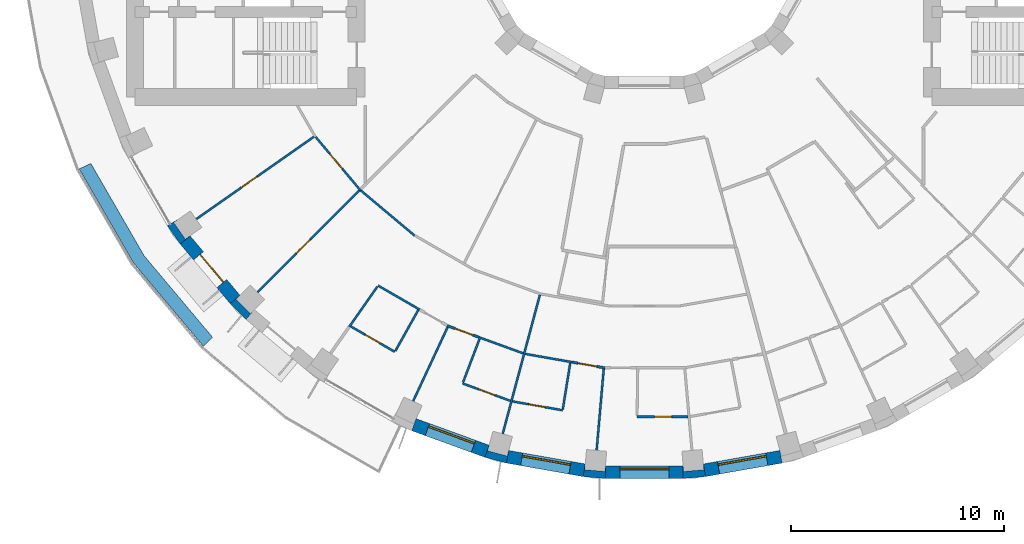
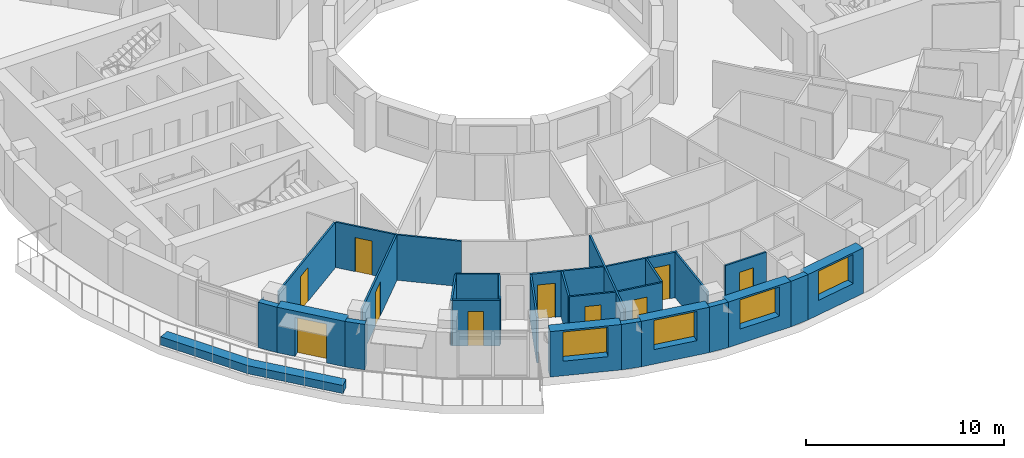
# One storey, part 4 of 16: 31 walls, 10 doors, 4 windows, 14 openings.
"""IFC4 building model written with IfcOpenShell, lengths in metres."""

from ifc_helpers import new_model, si_unit, direction, frame, frame_2d, origin, place, context, subcontext, project, spatial, polyline, rectangle, outline, extrude, material, layer, layer_set, type_object, element, fill, save


model = new_model("IFC4")

# Units and contexts
model_context = context("Model", 3, precision=1e-05, world=origin(), true_north=direction((0.0, 1.0)))
body_context = subcontext(model_context, "Body", "Model", "MODEL_VIEW")
ifc_project = project(units=[si_unit("LENGTHUNIT", "METRE"), si_unit("AREAUNIT", "SQUARE_METRE"), si_unit("VOLUMEUNIT", "CUBIC_METRE"), si_unit("PLANEANGLEUNIT", "RADIAN"), si_unit("MASSUNIT", "GRAM", prefix="KILO")], contexts=[model_context])

# Site, building, storey
site_placement = place(None, origin())
site = spatial("IfcSite", under=ifc_project, at=site_placement, CompositionType="ELEMENT")
building_placement = place(site_placement, origin())
building = spatial("IfcBuilding", under=site, at=building_placement, Name="Saqina Gate Tower", CompositionType="ELEMENT")
storey_placement = place(building_placement, frame((0.0, 0.0, 128.199951171875)))
storey = spatial("IfcBuildingStorey", under=building, at=storey_placement, Name="L36", CompositionType="ELEMENT", Elevation=128.199951171875)

# Walls
ifc_material_1 = material(Name="Brick masonry (buff)", Category="masonry")
wall_type_1 = type_object("IfcWallType", Name="BRICK PIER COPING BUFF", PredefinedType="SOLIDWALL", material=ifc_material_1)
wall_1_placement = place(storey_placement, origin())
element("IfcWall", 1, at=wall_1_placement, inside=storey, type_object=wall_type_1, Name="Pier cap L36 column 22", PredefinedType="SOLIDWALL", context=body_context, shape_type="SweptSolid", body=[
    extrude(outline(polyline([(-21.77685546875, -15.89208984375), (-21.317138671875, -15.50634765625), (-21.53759765625, -15.66064453125), (-22.08251953125, -14.88232421875), (-21.862060546875, -14.728271484375), (-22.3818359375, -15.0283203125), (-21.77685546875, -15.89208984375)])), origin(), (0.0, 0.0, 1.0), 2.800048828125),
])
wall_2_placement = place(storey_placement, origin())
element("IfcWall", 2, at=wall_2_placement, inside=storey, type_object=wall_type_1, Name="Pier cap L36 column 23", PredefinedType="SOLIDWALL", context=body_context, shape_type="SweptSolid", body=[
    extrude(outline(polyline([(-19.43212890625, -18.686279296875), (-18.686279296875, -19.43212890625), (-18.30078125, -18.972412109375), (-18.49072265625, -19.16259765625), (-19.16259765625, -18.49072265625), (-18.972412109375, -18.30078125), (-19.43212890625, -18.686279296875)])), origin(), (0.0, 0.0, 1.0), 2.800048828125),
])
wall_3_placement = place(storey_placement, origin())
element("IfcWall", 3, at=wall_3_placement, inside=storey, type_object=wall_type_1, Name="Pier cap L36 column 26", PredefinedType="SOLIDWALL", context=body_context, shape_type="SweptSolid", body=[
    extrude(outline(polyline([(-7.485595703125, -25.89892578125), (-6.466796875, -26.171875), (-6.36279296875, -25.5810546875), (-6.43212890625, -25.8408203125), (-7.349853515625, -25.5947265625), (-7.2802734375, -25.335205078125), (-7.485595703125, -25.89892578125)])), origin(), (0.0, 0.0, 1.0), 2.800048828125),
])
wall_4_placement = place(storey_placement, origin())
element("IfcWall", 4, at=wall_4_placement, inside=storey, type_object=wall_type_1, Name="Pier cap L36 column 27", PredefinedType="SOLIDWALL", context=body_context, shape_type="SweptSolid", body=[
    extrude(outline(polyline([(-2.87451171875, -26.805419921875), (-1.823974609375, -26.897216796875), (-1.823974609375, -26.29736328125), (-1.847412109375, -26.565185546875), (-2.793701171875, -26.482421875), (-2.770263671875, -26.214599609375), (-2.87451171875, -26.805419921875)])), origin(), (0.0, 0.0, 1.0), 2.800048828125),
])
wall_5_placement = place(storey_placement, origin())
element("IfcWall", 5, at=wall_5_placement, inside=storey, type_object=wall_type_1, Name="Pier cap L36 column 28", PredefinedType="SOLIDWALL", context=body_context, shape_type="SweptSolid", body=[
    extrude(outline(polyline([(2.87451171875, -26.805419921875), (2.770263671875, -26.214599609375), (2.793701171875, -26.482421875), (1.847412109375, -26.565185546875), (1.823974609375, -26.29736328125), (1.823974609375, -26.897216796875), (2.87451171875, -26.805419921875)])), origin(), (0.0, 0.0, 1.0), 2.800048828125),
])

# Wall, opening, door
ifc_material_2 = material(Name="Brick masonry (buff)", Category="masonry")
ifc_layer_1 = layer(ifc_material_2, 0.60009765625)
ifc_layer_set_1 = layer_set([ifc_layer_1], Name="FW-BRICK-BUFF")
wall_type_2 = type_object("IfcWallType", Name="FW-BRICK-BUFF", PredefinedType="SOLIDWALL", material=ifc_layer_set_1)
wall_6_placement = place(storey_placement, frame((-21.547119140625, -15.69921875, 0.0), z_axis=(0.0, 0.0, 1.0), x_axis=(0.642774476932, -0.766055462616, 0.0)))
wall_6 = element("IfcWall", 6, at=wall_6_placement, inside=storey, type_object=wall_type_2, Name="Facade wall L36 facet 22", PredefinedType="SOLIDWALL", context=body_context, shape_type="SweptSolid", body=[
    extrude(rectangle(XDim=3.647705078125, YDim=0.60009765625, at=frame_2d((1.82373046875, 0.0))), origin(), (0.0, 0.0, 1.0), 2.800048828125),
])
opening_1_placement = place(wall_6_placement, frame((0.973876953125, 0.0, 0.0)))
opening_1 = element("IfcOpeningElement", 7, at=opening_1_placement, cuts=wall_6, Name="Opening G10-D80", PredefinedType="OPENING", context=body_context, shape_type="SweptSolid", body=[
    extrude(rectangle(XDim=1.699951171875, YDim=2.39990234375, at=frame_2d((0.85009765625, 1.199951171875))), frame((0.0, 0.31201171875, 0.0), z_axis=(0.0, -1.0, 0.0), x_axis=(1.0, 0.0, 0.0)), (0.0, 0.0, 1.0), 0.6240234375),
])
ifc_material_3 = material(Name="Aluminium glazing", Category="aluminium")
door_type_1 = type_object("IfcDoorType", Name="GD-B", OperationType="DOUBLE_DOOR_SINGLE_SWING", PredefinedType="DOOR", material=ifc_material_3)
door_1_placement = place(opening_1_placement, frame((1.699951171875, 0.0, 0.0), z_axis=(0.0, 0.0, 1.0), x_axis=(-1.0, 0.0, 0.0)))
door_1 = element("IfcDoor", 8, at=door_1_placement, inside=storey, type_object=door_type_1, Name="Terrace door L36 facet 22", OperationType="DOUBLE_DOOR_SINGLE_SWING", OverallHeight=2.39990234375, OverallWidth=1.699951171875, PredefinedType="DOOR", context=body_context, shape_type="SweptSolid", body=[
    extrude(rectangle(XDim=1.699951171875, YDim=2.39990234375, at=frame_2d((0.85009765625, 1.199951171875))), frame((0.0, -0.0751953125, 0.0), z_axis=(0.0, -1.0, 0.0), x_axis=(1.0, 0.0, 0.0)), (0.0, 0.0, 1.0), 0.050048828125),
])
fill(opening_1, door_1)

# Wall, opening, window
wall_7_placement = place(storey_placement, frame((-10.810791015625, -24.369384765625, 0.0), z_axis=(0.0, 0.0, 1.0), x_axis=(0.939703505393, -0.341990236633, 0.0)))
wall_7 = element("IfcWall", 9, at=wall_7_placement, inside=storey, type_object=wall_type_2, Name="Facade wall L36 facet 25", PredefinedType="SOLIDWALL", context=body_context, shape_type="SweptSolid", body=[
    extrude(rectangle(XDim=3.64794921875, YDim=0.60009765625, at=frame_2d((1.823974609375, 0.0))), origin(), (0.0, 0.0, 1.0), 2.800048828125),
])
opening_2_placement = place(wall_7_placement, frame((0.673828125, 0.0, 0.89990234375)))
opening_2 = element("IfcOpeningElement", 10, at=opening_2_placement, cuts=wall_7, Name="Opening G10-W14", PredefinedType="OPENING", context=body_context, shape_type="SweptSolid", body=[
    extrude(rectangle(XDim=2.300048828125, YDim=1.800048828125, at=frame_2d((1.14990234375, 0.89990234375))), frame((0.0, 0.31201171875, 0.0), z_axis=(0.0, -1.0, 0.0), x_axis=(1.0, 0.0, 0.0)), (0.0, 0.0, 1.0), 0.6240234375),
])
ifc_material_4 = material(Name="Aluminium glazing", Category="aluminium")
window_type = type_object("IfcWindowType", Name="WN-B", PartitioningType="SINGLE_PANEL", PredefinedType="WINDOW", material=ifc_material_4)
window_1_placement = place(opening_2_placement, origin())
window_1 = element("IfcWindow", 11, at=window_1_placement, inside=storey, type_object=window_type, Name="Window L36 facet 25", OverallHeight=1.800048828125, OverallWidth=2.300048828125, PartitioningType="SINGLE_PANEL", PredefinedType="WINDOW", context=body_context, shape_type="SweptSolid", body=[
    extrude(rectangle(XDim=2.300048828125, YDim=1.800048828125, at=frame_2d((1.14990234375, 0.89990234375))), frame((0.0, 0.179931640625, 0.0), z_axis=(0.0, -1.0, 0.0), x_axis=(1.0, 0.0, 0.0)), (0.0, 0.0, 1.0), 0.06005859375),
])
fill(opening_2, window_1)

wall_8_placement = place(storey_placement, frame((-6.414794921875, -25.87646484375, 0.0), z_axis=(0.0, 0.0, 1.0), x_axis=(0.984803764455, -0.173670796382, 0.0)))
wall_8 = element("IfcWall", 12, at=wall_8_placement, inside=storey, type_object=wall_type_2, Name="Facade wall L36 facet 26", PredefinedType="SOLIDWALL", context=body_context, shape_type="SweptSolid", body=[
    extrude(rectangle(XDim=3.64794921875, YDim=0.60009765625, at=frame_2d((1.823974609375, 0.0))), origin(), (0.0, 0.0, 1.0), 2.800048828125),
])
opening_3_placement = place(wall_8_placement, frame((0.673828125, 0.0, 0.89990234375)))
opening_3 = element("IfcOpeningElement", 13, at=opening_3_placement, cuts=wall_8, Name="Opening G10-W15", PredefinedType="OPENING", context=body_context, shape_type="SweptSolid", body=[
    extrude(rectangle(XDim=2.300048828125, YDim=1.800048828125, at=frame_2d((1.14990234375, 0.89990234375))), frame((0.0, 0.31201171875, 0.0), z_axis=(0.0, -1.0, 0.0), x_axis=(1.0, 0.0, 0.0)), (0.0, 0.0, 1.0), 0.6240234375),
])
window_2_placement = place(opening_3_placement, origin())
window_2 = element("IfcWindow", 14, at=window_2_placement, inside=storey, type_object=window_type, Name="Window L36 facet 26", OverallHeight=1.800048828125, OverallWidth=2.300048828125, PartitioningType="SINGLE_PANEL", PredefinedType="WINDOW", context=body_context, shape_type="SweptSolid", body=[
    extrude(rectangle(XDim=2.300048828125, YDim=1.800048828125, at=frame_2d((1.14990234375, 0.89990234375))), frame((0.0, 0.179931640625, 0.0), z_axis=(0.0, -1.0, 0.0), x_axis=(1.0, 0.0, 0.0)), (0.0, 0.0, 1.0), 0.06005859375),
])
fill(opening_3, window_2)

wall_9_placement = place(storey_placement, frame((-1.823974609375, -26.59716796875, 0.0), z_axis=(0.0, 0.0, 1.0), x_axis=(1.0, 0.0, 0.0)))
wall_9 = element("IfcWall", 15, at=wall_9_placement, inside=storey, type_object=wall_type_2, Name="Facade wall L36 facet 27", PredefinedType="SOLIDWALL", context=body_context, shape_type="SweptSolid", body=[
    extrude(rectangle(XDim=3.64794921875, YDim=0.60009765625, at=frame_2d((1.823974609375, 0.0))), origin(), (0.0, 0.0, 1.0), 2.800048828125),
])
opening_4_placement = place(wall_9_placement, frame((0.673828125, 0.0, 0.89990234375)))
opening_4 = element("IfcOpeningElement", 16, at=opening_4_placement, cuts=wall_9, Name="Opening G10-W16", PredefinedType="OPENING", context=body_context, shape_type="SweptSolid", body=[
    extrude(rectangle(XDim=2.300048828125, YDim=1.800048828125, at=frame_2d((1.14990234375, 0.89990234375))), frame((0.0, 0.31201171875, 0.0), z_axis=(0.0, -1.0, 0.0), x_axis=(1.0, 0.0, 0.0)), (0.0, 0.0, 1.0), 0.6240234375),
])
window_3_placement = place(opening_4_placement, origin())
window_3 = element("IfcWindow", 17, at=window_3_placement, inside=storey, type_object=window_type, Name="Window L36 facet 27", OverallHeight=1.800048828125, OverallWidth=2.300048828125, PartitioningType="SINGLE_PANEL", PredefinedType="WINDOW", context=body_context, shape_type="SweptSolid", body=[
    extrude(rectangle(XDim=2.300048828125, YDim=1.800048828125, at=frame_2d((1.14990234375, 0.89990234375))), frame((0.0, 0.179931640625, 0.0), z_axis=(0.0, -1.0, 0.0), x_axis=(1.0, 0.0, 0.0)), (0.0, 0.0, 1.0), 0.06005859375),
])
fill(opening_4, window_3)

wall_10_placement = place(storey_placement, frame((2.822265625, -26.510009765625, 0.0), z_axis=(0.0, 0.0, 1.0), x_axis=(0.984803764455, 0.173670796382, 0.0)))
wall_10 = element("IfcWall", 18, at=wall_10_placement, inside=storey, type_object=wall_type_2, Name="Facade wall L36 facet 28", PredefinedType="SOLIDWALL", context=body_context, shape_type="SweptSolid", body=[
    extrude(rectangle(XDim=3.64794921875, YDim=0.60009765625, at=frame_2d((1.823974609375, 0.0))), origin(), (0.0, 0.0, 1.0), 2.800048828125),
])
opening_5_placement = place(wall_10_placement, frame((0.673828125, 0.0, 0.89990234375)))
opening_5 = element("IfcOpeningElement", 19, at=opening_5_placement, cuts=wall_10, Name="Opening G10-W17", PredefinedType="OPENING", context=body_context, shape_type="SweptSolid", body=[
    extrude(rectangle(XDim=2.300048828125, YDim=1.800048828125, at=frame_2d((1.14990234375, 0.89990234375))), frame((0.0, 0.31201171875, 0.0), z_axis=(0.0, -1.0, 0.0), x_axis=(1.0, 0.0, 0.0)), (0.0, 0.0, 1.0), 0.6240234375),
])
window_4_placement = place(opening_5_placement, origin())
window_4 = element("IfcWindow", 20, at=window_4_placement, inside=storey, type_object=window_type, Name="Window L36 facet 28", OverallHeight=1.800048828125, OverallWidth=2.300048828125, PartitioningType="SINGLE_PANEL", PredefinedType="WINDOW", context=body_context, shape_type="SweptSolid", body=[
    extrude(rectangle(XDim=2.300048828125, YDim=1.800048828125, at=frame_2d((1.14990234375, 0.89990234375))), frame((0.0, 0.179931640625, 0.0), z_axis=(0.0, -1.0, 0.0), x_axis=(1.0, 0.0, 0.0)), (0.0, 0.0, 1.0), 0.06005859375),
])
fill(opening_5, window_4)

# Wall, opening, door
ifc_material_5 = material(Name="Gypsum board on steel studs, 100 mm", Category="steel")
ifc_layer_2 = layer(ifc_material_5, 0.10009765625)
ifc_layer_set_2 = layer_set([ifc_layer_2], Name="PARTITION 100")
wall_type_3 = type_object("IfcWallType", Name="PARTITION 100", PredefinedType="PARTITIONING", material=ifc_layer_set_2)
wall_11_placement = place(storey_placement, frame((-15.42578125, -10.8623046875, 0.0), z_axis=(0.0, 0.0, 1.0), x_axis=(0.642706409745, -0.766112570627, 0.0)))
wall_11 = element("IfcWall", 21, at=wall_11_placement, inside=storey, type_object=wall_type_3, Name="PARTITION PW3-21", PredefinedType="PARTITIONING", context=body_context, shape_type="SweptSolid", body=[
    extrude(rectangle(XDim=3.2900390625, YDim=0.10009765625, at=frame_2d((1.64501953125, 0.0))), origin(), (0.0, 0.0, 1.0), 2.800048828125),
])
opening_6_placement = place(wall_11_placement, frame((1.044677734375, 0.0, 0.0)))
opening_6 = element("IfcOpeningElement", 22, at=opening_6_placement, cuts=wall_11, Name="Opening G10-D30", PredefinedType="OPENING", context=body_context, shape_type="SweptSolid", body=[
    extrude(rectangle(XDim=0.89990234375, YDim=2.10009765625, at=frame_2d((0.449951171875, 1.050048828125))), frame((0.0, 0.06201171875, 0.0), z_axis=(0.0, -1.0, 0.0), x_axis=(1.0, 0.0, 0.0)), (0.0, 0.0, 1.0), 0.1240234375),
])
ifc_material_6 = material(Name="Timber door leaf, 900 mm", Category="wood")
door_type_2 = type_object("IfcDoorType", Name="DOOR 900 TIMBER", OperationType="SINGLE_SWING_LEFT", PredefinedType="DOOR", material=ifc_material_6)
door_2_placement = place(opening_6_placement, origin())
door_2 = element("IfcDoor", 23, at=door_2_placement, inside=storey, type_object=door_type_2, Name="DOOR G10-D30", OperationType="SINGLE_SWING_RIGHT", OverallHeight=2.10009765625, OverallWidth=0.89990234375, PredefinedType="DOOR", context=body_context, shape_type="SweptSolid", body=[
    extrude(rectangle(XDim=0.89990234375, YDim=2.10009765625, at=frame_2d((0.449951171875, 1.050048828125))), frame((0.0, 0.02490234375, 0.0), z_axis=(0.0, -1.0, 0.0), x_axis=(1.0, 0.0, 0.0)), (0.0, 0.0, 1.0), 0.050048828125),
])
fill(opening_6, door_2)

# Wall
wall_12_placement = place(storey_placement, frame((-13.3056640625, -13.376220703125, 0.0), z_axis=(0.0, 0.0, 1.0), x_axis=(0.766112570627, -0.642706409745, 0.0)))
element("IfcWall", 24, at=wall_12_placement, inside=storey, type_object=wall_type_3, Name="PARTITION PW3-28", PredefinedType="PARTITIONING", context=body_context, shape_type="SweptSolid", body=[
    extrude(rectangle(XDim=3.2900390625, YDim=0.10009765625, at=frame_2d((1.64501953125, 0.0))), origin(), (0.0, 0.0, 1.0), 2.800048828125),
])

# Wall, opening, door
wall_13_placement = place(storey_placement, frame((-13.771728515625, -19.758056640625, 0.0), z_axis=(0.0, 0.0, 1.0), x_axis=(0.865904457458, -0.500209426695, 0.0)))
wall_13 = element("IfcWall", 25, at=wall_13_placement, inside=storey, type_object=wall_type_3, Name="PARTITION PW3-32", PredefinedType="PARTITIONING", context=body_context, shape_type="SweptSolid", body=[
    extrude(rectangle(XDim=2.38671875, YDim=0.10009765625, at=frame_2d((1.193359375, 0.0))), origin(), (0.0, 0.0, 1.0), 2.800048828125),
])
opening_7_placement = place(wall_13_placement, frame((0.767333984375, 0.0, 0.0)))
opening_7 = element("IfcOpeningElement", 26, at=opening_7_placement, cuts=wall_13, Name="Opening G10-D33", PredefinedType="OPENING", context=body_context, shape_type="SweptSolid", body=[
    extrude(rectangle(XDim=0.800048828125, YDim=2.10009765625, at=frame_2d((0.39990234375, 1.050048828125))), frame((0.0, 0.06201171875, 0.0), z_axis=(0.0, -1.0, 0.0), x_axis=(1.0, 0.0, 0.0)), (0.0, 0.0, 1.0), 0.1240234375),
])
ifc_material_7 = material(Name="Timber door leaf, 800 mm", Category="wood")
door_type_3 = type_object("IfcDoorType", Name="DOOR 800 TIMBER", OperationType="SINGLE_SWING_LEFT", PredefinedType="DOOR", material=ifc_material_7)
door_3_placement = place(opening_7_placement, frame((0.800048828125, 0.0, 0.0), z_axis=(0.0, 0.0, 1.0), x_axis=(-1.0, 0.0, 0.0)))
door_3 = element("IfcDoor", 27, at=door_3_placement, inside=storey, type_object=door_type_3, Name="DOOR G10-D33", OperationType="SINGLE_SWING_RIGHT", OverallHeight=2.10009765625, OverallWidth=0.800048828125, PredefinedType="DOOR", context=body_context, shape_type="SweptSolid", body=[
    extrude(rectangle(XDim=0.800048828125, YDim=2.10009765625, at=frame_2d((0.39990234375, 1.050048828125))), frame((0.0, 0.02490234375, 0.0), z_axis=(0.0, -1.0, 0.0), x_axis=(1.0, 0.0, 0.0)), (0.0, 0.0, 1.0), 0.050048828125),
])
fill(opening_7, door_3)

# Wall
wall_14_placement = place(storey_placement, frame((-12.489501953125, -17.843017578125, 0.0), z_axis=(0.0, 0.0, 1.0), x_axis=(0.865965261283, -0.500104155402, 0.0)))
element("IfcWall", 28, at=wall_14_placement, inside=storey, type_object=wall_type_3, Name="PARTITION PW3-33", PredefinedType="PARTITIONING", context=body_context, shape_type="SweptSolid", body=[
    extrude(rectangle(XDim=2.25146484375, YDim=0.10009765625, at=frame_2d((1.125732421875, 0.0))), origin(), (0.0, 0.0, 1.0), 2.800048828125),
])

# Wall, opening, door
wall_15_placement = place(storey_placement, frame((-8.52587890625, -22.43408203125, 0.0), z_axis=(0.0, 0.0, 1.0), x_axis=(0.939667988297, -0.342087812952, 0.0)))
wall_15 = element("IfcWall", 29, at=wall_15_placement, inside=storey, type_object=wall_type_3, Name="PARTITION PW3-40", PredefinedType="PARTITIONING", context=body_context, shape_type="SweptSolid", body=[
    extrude(rectangle(XDim=2.387939453125, YDim=0.10009765625, at=frame_2d((1.19384765625, 0.0))), origin(), (0.0, 0.0, 1.0), 2.800048828125),
])
opening_8_placement = place(wall_15_placement, frame((0.819091796875, 0.0, 0.0)))
opening_8 = element("IfcOpeningElement", 30, at=opening_8_placement, cuts=wall_15, Name="Opening G10-D37", PredefinedType="OPENING", context=body_context, shape_type="SweptSolid", body=[
    extrude(rectangle(XDim=0.800048828125, YDim=2.10009765625, at=frame_2d((0.39990234375, 1.050048828125))), frame((0.0, 0.06201171875, 0.0), z_axis=(0.0, -1.0, 0.0), x_axis=(1.0, 0.0, 0.0)), (0.0, 0.0, 1.0), 0.1240234375),
])
door_4_placement = place(opening_8_placement, frame((0.800048828125, 0.0, 0.0), z_axis=(0.0, 0.0, 1.0), x_axis=(-1.0, 0.0, 0.0)))
door_4 = element("IfcDoor", 31, at=door_4_placement, inside=storey, type_object=door_type_3, Name="DOOR G10-D37", OperationType="SINGLE_SWING_LEFT", OverallHeight=2.10009765625, OverallWidth=0.800048828125, PredefinedType="DOOR", context=body_context, shape_type="SweptSolid", body=[
    extrude(rectangle(XDim=0.800048828125, YDim=2.10009765625, at=frame_2d((0.39990234375, 1.050048828125))), frame((0.0, 0.02490234375, 0.0), z_axis=(0.0, -1.0, 0.0), x_axis=(1.0, 0.0, 0.0)), (0.0, 0.0, 1.0), 0.050048828125),
])
fill(opening_8, door_4)

# Wall
wall_16_placement = place(storey_placement, frame((-7.756103515625, -20.26708984375, 0.0), z_axis=(0.0, 0.0, 1.0), x_axis=(0.939728749343, -0.341920864613, 0.0)))
element("IfcWall", 32, at=wall_16_placement, inside=storey, type_object=wall_type_3, Name="PARTITION PW3-41", PredefinedType="PARTITIONING", context=body_context, shape_type="SweptSolid", body=[
    extrude(rectangle(XDim=2.204833984375, YDim=0.10009765625, at=frame_2d((1.1025390625, 0.0))), origin(), (0.0, 0.0, 1.0), 2.800048828125),
])

# Wall, opening, door
wall_17_placement = place(storey_placement, frame((-6.185791015625, -23.276611328125, 0.0), z_axis=(0.0, 0.0, 1.0), x_axis=(0.98477738582, -0.173820310603, 0.0)))
wall_17 = element("IfcWall", 33, at=wall_17_placement, inside=storey, type_object=wall_type_3, Name="PARTITION PW3-45", PredefinedType="PARTITIONING", context=body_context, shape_type="SweptSolid", body=[
    extrude(rectangle(XDim=2.38916015625, YDim=0.10009765625, at=frame_2d((1.194580078125, 0.0))), origin(), (0.0, 0.0, 1.0), 2.800048828125),
])
opening_9_placement = place(wall_17_placement, frame((0.76953125, 0.0, 0.0)))
opening_9 = element("IfcOpeningElement", 34, at=opening_9_placement, cuts=wall_17, Name="Opening G10-D38", PredefinedType="OPENING", context=body_context, shape_type="SweptSolid", body=[
    extrude(rectangle(XDim=0.800048828125, YDim=2.10009765625, at=frame_2d((0.39990234375, 1.050048828125))), frame((0.0, 0.06201171875, 0.0), z_axis=(0.0, -1.0, 0.0), x_axis=(1.0, 0.0, 0.0)), (0.0, 0.0, 1.0), 0.1240234375),
])
door_5_placement = place(opening_9_placement, frame((0.800048828125, 0.0, 0.0), z_axis=(0.0, 0.0, 1.0), x_axis=(-1.0, 0.0, 0.0)))
door_5 = element("IfcDoor", 35, at=door_5_placement, inside=storey, type_object=door_type_3, Name="DOOR G10-D38", OperationType="SINGLE_SWING_RIGHT", OverallHeight=2.10009765625, OverallWidth=0.800048828125, PredefinedType="DOOR", context=body_context, shape_type="SweptSolid", body=[
    extrude(rectangle(XDim=0.800048828125, YDim=2.10009765625, at=frame_2d((0.39990234375, 1.050048828125))), frame((0.0, 0.02490234375, 0.0), z_axis=(0.0, -1.0, 0.0), x_axis=(1.0, 0.0, 0.0)), (0.0, 0.0, 1.0), 0.050048828125),
])
fill(opening_9, door_5)

# Wall
wall_18_placement = place(storey_placement, frame((-5.587646484375, -21.046630859375, 0.0), z_axis=(0.0, 0.0, 1.0), x_axis=(0.984792363165, -0.173735435225, 0.0)))
element("IfcWall", 36, at=wall_18_placement, inside=storey, type_object=wall_type_3, Name="PARTITION PW3-46", PredefinedType="PARTITIONING", context=body_context, shape_type="SweptSolid", body=[
    extrude(rectangle(XDim=2.23291015625, YDim=0.10009765625, at=frame_2d((1.116455078125, 0.0))), origin(), (0.0, 0.0, 1.0), 2.800048828125),
])

# Wall, opening, door
wall_19_placement = place(storey_placement, frame((-0.339111328125, -23.9970703125, 0.0), z_axis=(0.0, 0.0, 1.0), x_axis=(1.0, 0.0, 0.0)))
wall_19 = element("IfcWall", 37, at=wall_19_placement, inside=storey, type_object=wall_type_3, Name="PARTITION PW3-51", PredefinedType="PARTITIONING", context=body_context, shape_type="SweptSolid", body=[
    extrude(rectangle(XDim=2.38818359375, YDim=0.10009765625, at=frame_2d((1.194091796875, 0.0))), origin(), (0.0, 0.0, 1.0), 2.800048828125),
])
opening_10_placement = place(wall_19_placement, frame((0.819091796875, 0.0, 0.0)))
opening_10 = element("IfcOpeningElement", 38, at=opening_10_placement, cuts=wall_19, Name="Opening G10-D44", PredefinedType="OPENING", context=body_context, shape_type="SweptSolid", body=[
    extrude(rectangle(XDim=0.800048828125, YDim=2.10009765625, at=frame_2d((0.39990234375, 1.050048828125))), frame((0.0, 0.06201171875, 0.0), z_axis=(0.0, -1.0, 0.0), x_axis=(1.0, 0.0, 0.0)), (0.0, 0.0, 1.0), 0.1240234375),
])
door_6_placement = place(opening_10_placement, frame((0.800048828125, 0.0, 0.0), z_axis=(0.0, 0.0, 1.0), x_axis=(-1.0, 0.0, 0.0)))
door_6 = element("IfcDoor", 39, at=door_6_placement, inside=storey, type_object=door_type_3, Name="DOOR G10-D44", OperationType="SINGLE_SWING_LEFT", OverallHeight=2.10009765625, OverallWidth=0.800048828125, PredefinedType="DOOR", context=body_context, shape_type="SweptSolid", body=[
    extrude(rectangle(XDim=0.800048828125, YDim=2.10009765625, at=frame_2d((0.39990234375, 1.050048828125))), frame((0.0, 0.02490234375, 0.0), z_axis=(0.0, -1.0, 0.0), x_axis=(1.0, 0.0, 0.0)), (0.0, 0.0, 1.0), 0.050048828125),
])
fill(opening_10, door_6)

wall_20_placement = place(storey_placement, frame((-21.02392578125, -14.720458984375, 0.0), z_axis=(0.0, 0.0, 1.0), x_axis=(0.819214913262, 0.573486639678, 0.0)))
wall_20 = element("IfcWall", 40, at=wall_20_placement, inside=storey, type_object=wall_type_3, Name="PARTITION PW3-76", PredefinedType="PARTITIONING", context=body_context, shape_type="SweptSolid", body=[
    extrude(rectangle(XDim=6.744140625, YDim=0.10009765625, at=frame_2d((3.3720703125, 0.0))), origin(), (0.0, 0.0, 1.0), 2.800048828125),
])
opening_11_placement = place(wall_20_placement, frame((2.57958984375, 0.0, 0.0)))
opening_11 = element("IfcOpeningElement", 41, at=opening_11_placement, cuts=wall_20, Name="Opening G10-D29", PredefinedType="OPENING", context=body_context, shape_type="SweptSolid", body=[
    extrude(rectangle(XDim=0.89990234375, YDim=2.10009765625, at=frame_2d((0.449951171875, 1.050048828125))), frame((0.0, 0.06201171875, 0.0), z_axis=(0.0, -1.0, 0.0), x_axis=(1.0, 0.0, 0.0)), (0.0, 0.0, 1.0), 0.1240234375),
])
door_7_placement = place(opening_11_placement, origin())
door_7 = element("IfcDoor", 42, at=door_7_placement, inside=storey, type_object=door_type_2, Name="DOOR G10-D29", OperationType="SINGLE_SWING_LEFT", OverallHeight=2.10009765625, OverallWidth=0.89990234375, PredefinedType="DOOR", context=body_context, shape_type="SweptSolid", body=[
    extrude(rectangle(XDim=0.89990234375, YDim=2.10009765625, at=frame_2d((0.449951171875, 1.050048828125))), frame((0.0, 0.02490234375, 0.0), z_axis=(0.0, -1.0, 0.0), x_axis=(1.0, 0.0, 0.0)), (0.0, 0.0, 1.0), 0.050048828125),
])
fill(opening_11, door_7)

wall_21_placement = place(storey_placement, frame((-18.14794921875, -18.14794921875, 0.0), z_axis=(0.0, 0.0, 1.0), x_axis=(0.707106781187, 0.707106781187, 0.0)))
wall_21 = element("IfcWall", 43, at=wall_21_placement, inside=storey, type_object=wall_type_3, Name="PARTITION PW3-82", PredefinedType="PARTITIONING", context=body_context, shape_type="SweptSolid", body=[
    extrude(rectangle(XDim=6.74365234375, YDim=0.10009765625, at=frame_2d((3.371826171875, 0.0))), origin(), (0.0, 0.0, 1.0), 2.800048828125),
])
opening_12_placement = place(wall_21_placement, frame((2.579833984375, 0.0, 0.0)))
opening_12 = element("IfcOpeningElement", 44, at=opening_12_placement, cuts=wall_21, Name="Opening G10-D32", PredefinedType="OPENING", context=body_context, shape_type="SweptSolid", body=[
    extrude(rectangle(XDim=0.89990234375, YDim=2.10009765625, at=frame_2d((0.449951171875, 1.050048828125))), frame((0.0, 0.06201171875, 0.0), z_axis=(0.0, -1.0, 0.0), x_axis=(1.0, 0.0, 0.0)), (0.0, 0.0, 1.0), 0.1240234375),
])
door_8_placement = place(opening_12_placement, frame((0.89990234375, 0.0, 0.0), z_axis=(0.0, 0.0, 1.0), x_axis=(-1.0, 0.0, 0.0)))
door_8 = element("IfcDoor", 45, at=door_8_placement, inside=storey, type_object=door_type_2, Name="DOOR G10-D32", OperationType="SINGLE_SWING_RIGHT", OverallHeight=2.10009765625, OverallWidth=0.89990234375, PredefinedType="DOOR", context=body_context, shape_type="SweptSolid", body=[
    extrude(rectangle(XDim=0.89990234375, YDim=2.10009765625, at=frame_2d((0.449951171875, 1.050048828125))), frame((0.0, 0.02490234375, 0.0), z_axis=(0.0, -1.0, 0.0), x_axis=(1.0, 0.0, 0.0)), (0.0, 0.0, 1.0), 0.050048828125),
])
fill(opening_12, door_8)

# Walls
wall_22_placement = place(storey_placement, frame((-13.845458984375, -19.772705078125, 0.0), z_axis=(0.0, 0.0, 1.0), x_axis=(0.573426847585, 0.819256767118, 0.0)))
element("IfcWall", 46, at=wall_22_placement, inside=storey, type_object=wall_type_3, Name="PARTITION PW3-90", PredefinedType="PARTITIONING", context=body_context, shape_type="SweptSolid", body=[
    extrude(rectangle(XDim=2.30810546875, YDim=0.10009765625, at=frame_2d((1.154052734375, 0.0))), origin(), (0.0, 0.0, 1.0), 2.800048828125),
])
wall_23_placement = place(storey_placement, frame((-11.6806640625, -20.908447265625, 0.0), z_axis=(0.0, 0.0, 1.0), x_axis=(0.487751726738, 0.872982389894, 0.0)))
element("IfcWall", 47, at=wall_23_placement, inside=storey, type_object=wall_type_3, Name="PARTITION PW3-94", PredefinedType="PARTITIONING", context=body_context, shape_type="SweptSolid", body=[
    extrude(rectangle(XDim=2.200439453125, YDim=0.10009765625, at=frame_2d((1.10009765625, 0.0))), origin(), (0.0, 0.0, 1.0), 2.800048828125),
])
wall_24_placement = place(storey_placement, frame((-10.846435546875, -23.26025390625, 0.0), z_axis=(0.0, 0.0, 1.0), x_axis=(0.422591670658, 0.906320186187, 0.0)))
element("IfcWall", 48, at=wall_24_placement, inside=storey, type_object=wall_type_3, Name="PARTITION PW3-97", PredefinedType="PARTITIONING", context=body_context, shape_type="SweptSolid", body=[
    extrude(rectangle(XDim=3.821533203125, YDim=0.10009765625, at=frame_2d((1.91064453125, 0.0))), origin(), (0.0, 0.0, 1.0), 2.800048828125),
])
wall_25_placement = place(storey_placement, frame((-8.50830078125, -22.38720703125, 0.0), z_axis=(0.0, 0.0, 1.0), x_axis=(0.355303594793, 0.934750959094, 0.0)))
element("IfcWall", 49, at=wall_25_placement, inside=storey, type_object=wall_type_3, Name="PARTITION PW3-99", PredefinedType="PARTITIONING", context=body_context, shape_type="SweptSolid", body=[
    extrude(rectangle(XDim=2.187255859375, YDim=0.10009765625, at=frame_2d((1.09375, 0.0))), origin(), (0.0, 0.0, 1.0), 2.800048828125),
])
wall_26_placement = place(storey_placement, frame((-6.642578125, -24.79052734375, 0.0), z_axis=(0.0, 0.0, 1.0), x_axis=(0.258550301946, 0.965997795734, 0.0)))
element("IfcWall", 50, at=wall_26_placement, inside=storey, type_object=wall_type_3, Name="PARTITION PW3-101", PredefinedType="PARTITIONING", context=body_context, shape_type="SweptSolid", body=[
    extrude(rectangle(XDim=6.743896484375, YDim=0.10009765625, at=frame_2d((3.3720703125, 0.0))), origin(), (0.0, 0.0, 1.0), 2.800048828125),
])
wall_27_placement = place(storey_placement, frame((-3.824951171875, -23.642578125, 0.0), z_axis=(0.0, 0.0, 1.0), x_axis=(0.159556862709, 0.987188739585, 0.0)))
element("IfcWall", 51, at=wall_27_placement, inside=storey, type_object=wall_type_3, Name="PARTITION PW3-104", PredefinedType="PARTITIONING", context=body_context, shape_type="SweptSolid", body=[
    extrude(rectangle(XDim=2.2001953125, YDim=0.10009765625, at=frame_2d((1.10009765625, 0.0))), origin(), (0.0, 0.0, 1.0), 2.800048828125),
])
wall_28_placement = place(storey_placement, frame((-2.237060546875, -25.5673828125, 0.0), z_axis=(0.0, 0.0, 1.0), x_axis=(0.087368181188, 0.996176089311, 0.0)))
element("IfcWall", 52, at=wall_28_placement, inside=storey, type_object=wall_type_3, Name="PARTITION PW3-107", PredefinedType="PARTITIONING", context=body_context, shape_type="SweptSolid", body=[
    extrude(rectangle(XDim=3.82275390625, YDim=0.10009765625, at=frame_2d((1.911376953125, 0.0))), origin(), (0.0, 0.0, 1.0), 2.800048828125),
])

# Wall, opening, door
ifc_material_8 = material(Name="Gypsum board on steel studs, 125 mm, fire rated", Category="steel")
ifc_layer_3 = layer(ifc_material_8, 0.125)
ifc_layer_set_3 = layer_set([ifc_layer_3], Name="PARTITION EI 30 125")
wall_type_4 = type_object("IfcWallType", Name="PARTITION EI 30 125", PredefinedType="PARTITIONING", material=ifc_layer_set_3)
wall_29_placement = place(storey_placement, frame((-9.252685546875, -19.72265625, 0.0), z_axis=(0.0, 0.0, 1.0), x_axis=(0.939797899648, -0.341730753396, 0.0)))
wall_29 = element("IfcWall", 53, at=wall_29_placement, inside=storey, type_object=wall_type_4, Name="PARTITION PW1-20", PredefinedType="PARTITIONING", context=body_context, shape_type="SweptSolid", body=[
    extrude(rectangle(XDim=1.592529296875, YDim=0.125, at=frame_2d((0.79638671875, 0.0))), origin(), (0.0, 0.0, 1.0), 2.800048828125),
])
opening_13_placement = place(wall_29_placement, frame((0.396728515625, 0.0, 0.0)))
opening_13 = element("IfcOpeningElement", 54, at=opening_13_placement, cuts=wall_29, Name="Opening G10-D36", PredefinedType="OPENING", context=body_context, shape_type="SweptSolid", body=[
    extrude(rectangle(XDim=0.89990234375, YDim=2.10009765625, at=frame_2d((0.449951171875, 1.050048828125))), frame((0.0, 0.074462890625, 0.0), z_axis=(0.0, -1.0, 0.0), x_axis=(1.0, 0.0, 0.0)), (0.0, 0.0, 1.0), 0.14892578125),
])
ifc_material_9 = material(Name="Fire door leaf EI 30, 900 mm")
door_type_4 = type_object("IfcDoorType", Name="DOOR 900 EI 30", OperationType="SINGLE_SWING_LEFT", PredefinedType="DOOR", material=ifc_material_9)
door_9_placement = place(opening_13_placement, origin())
door_9 = element("IfcDoor", 55, at=door_9_placement, inside=storey, type_object=door_type_4, Name="DOOR G10-D36", OperationType="SINGLE_SWING_LEFT", OverallHeight=2.10009765625, OverallWidth=0.89990234375, PredefinedType="DOOR", context=body_context, shape_type="SweptSolid", body=[
    extrude(rectangle(XDim=0.89990234375, YDim=2.10009765625, at=frame_2d((0.449951171875, 1.050048828125))), frame((0.0, 0.02490234375, 0.0), z_axis=(0.0, -1.0, 0.0), x_axis=(1.0, 0.0, 0.0)), (0.0, 0.0, 1.0), 0.050048828125),
])
fill(opening_13, door_9)

wall_30_placement = place(storey_placement, frame((-3.388671875, -21.4345703125, 0.0), z_axis=(0.0, 0.0, 1.0), x_axis=(0.984855162217, -0.173379091745, 0.0)))
wall_30 = element("IfcWall", 56, at=wall_30_placement, inside=storey, type_object=wall_type_4, Name="PARTITION PW1-24", PredefinedType="PARTITIONING", context=body_context, shape_type="SweptSolid", body=[
    extrude(rectangle(XDim=1.5771484375, YDim=0.125, at=frame_2d((0.78857421875, 0.0))), origin(), (0.0, 0.0, 1.0), 2.800048828125),
])
opening_14_placement = place(wall_30_placement, frame((0.28173828125, 0.0, 0.0)))
opening_14 = element("IfcOpeningElement", 57, at=opening_14_placement, cuts=wall_30, Name="Opening G10-D39", PredefinedType="OPENING", context=body_context, shape_type="SweptSolid", body=[
    extrude(rectangle(XDim=0.89990234375, YDim=2.10009765625, at=frame_2d((0.449951171875, 1.050048828125))), frame((0.0, 0.074462890625, 0.0), z_axis=(0.0, -1.0, 0.0), x_axis=(1.0, 0.0, 0.0)), (0.0, 0.0, 1.0), 0.14892578125),
])
door_10_placement = place(opening_14_placement, origin())
door_10 = element("IfcDoor", 58, at=door_10_placement, inside=storey, type_object=door_type_4, Name="DOOR G10-D39", OperationType="SINGLE_SWING_RIGHT", OverallHeight=2.10009765625, OverallWidth=0.89990234375, PredefinedType="DOOR", context=body_context, shape_type="SweptSolid", body=[
    extrude(rectangle(XDim=0.89990234375, YDim=2.10009765625, at=frame_2d((0.449951171875, 1.050048828125))), frame((0.0, 0.02490234375, 0.0), z_axis=(0.0, -1.0, 0.0), x_axis=(1.0, 0.0, 0.0)), (0.0, 0.0, 1.0), 0.050048828125),
])
fill(opening_14, door_10)

# Wall
ifc_material_10 = material(Name="Brick masonry (red)", Category="masonry")
ifc_layer_4 = layer(ifc_material_10, 0.60009765625)
ifc_layer_set_4 = layer_set([ifc_layer_4], Name="PL-PLANTER")
wall_type_5 = type_object("IfcWallType", Name="PL-PLANTER", PredefinedType="PARAPET", material=ifc_layer_set_4)
wall_31_placement = place(storey_placement, origin())
element("IfcWall", 59, at=wall_31_placement, inside=storey, type_object=wall_type_5, Name="Planter L36", PredefinedType="PARAPET", context=body_context, shape_type="SweptSolid", body=[
    extrude(outline(polyline([(-26.517333984375, -12.365234375), (-23.96728515625, -16.781982421875), (-20.68896484375, -20.68896484375), (-20.26318359375, -20.26318359375), (-23.473876953125, -16.4365234375), (-25.971435546875, -12.110595703125), (-26.517333984375, -12.365234375)])), origin(), (0.0, 0.0, 1.0), 0.5),
])

save(model, "model.ifc")
